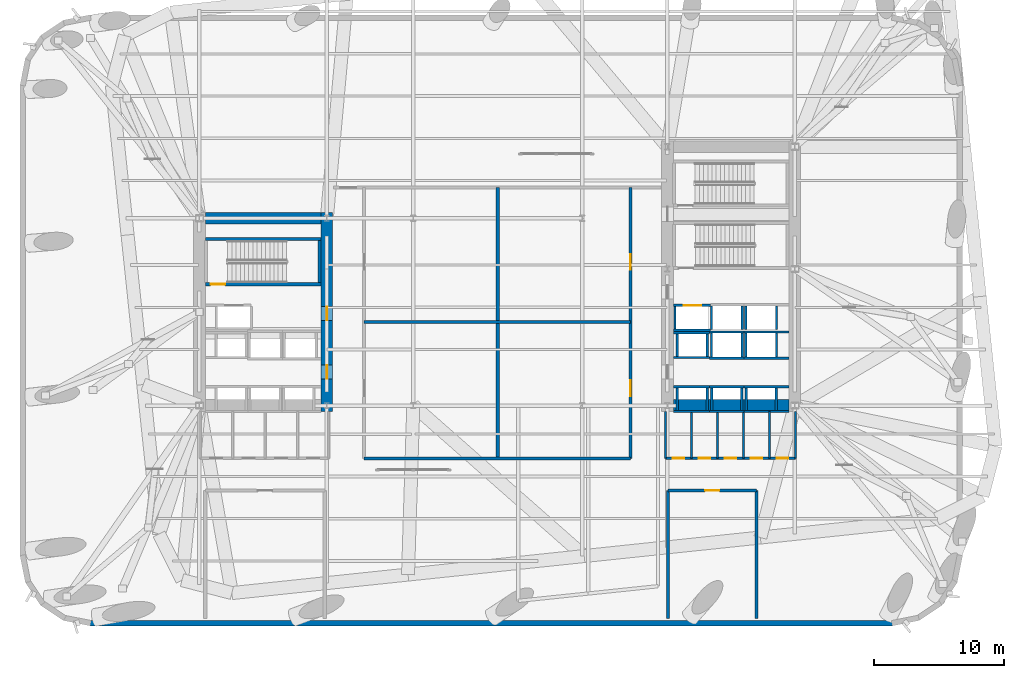
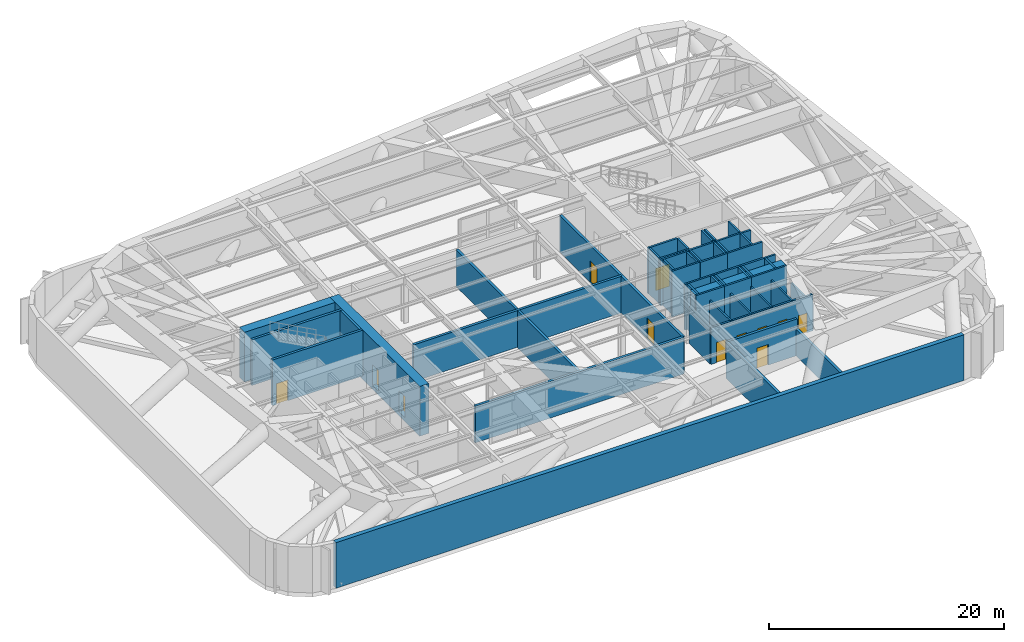
# One storey, part 9 of 16: 52 walls, 12 doors, 12 openings.
"""IFC4 building model written with IfcOpenShell, lengths in metres."""

from ifc_helpers import new_model, si_unit, direction, frame, frame_2d, origin, place, context, subcontext, project, spatial, rectangle, extrude, material, layer, layer_set, type_object, element, fill, save


model = new_model("IFC4")

# Units and contexts
model_context = context("Model", 3, precision=1e-05, world=origin(), true_north=direction((0.0, 1.0)))
body_context = subcontext(model_context, "Body", "Model", "MODEL_VIEW")
ifc_project = project(units=[si_unit("LENGTHUNIT", "METRE"), si_unit("AREAUNIT", "SQUARE_METRE"), si_unit("VOLUMEUNIT", "CUBIC_METRE"), si_unit("PLANEANGLEUNIT", "RADIAN"), si_unit("MASSUNIT", "GRAM", prefix="KILO")], contexts=[model_context])

# Site, building, storey
site_placement = place(None, origin())
site = spatial("IfcSite", under=ifc_project, at=site_placement, CompositionType="ELEMENT")
building_placement = place(site_placement, origin())
building = spatial("IfcBuilding", under=site, at=building_placement, Name="Kolvaren Arena Tower", CompositionType="ELEMENT")
storey_placement = place(building_placement, frame((0.0, 0.0, 94.5)))
storey = spatial("IfcBuildingStorey", under=building, at=storey_placement, Name="L21", CompositionType="ELEMENT", Elevation=94.5)

# Wall, openings, doors
ifc_material_1 = material(Name="Concrete 80 MPa", Category="concrete")
ifc_layer_1 = layer(ifc_material_1, 0.89990234375)
ifc_layer_set_1 = layer_set([ifc_layer_1], Name="Concrete 80 MPa")
wall_type_1 = type_object("IfcWallType", Name="CWALL-900", PredefinedType="SHEAR", material=ifc_layer_set_1)
wall_1_placement = place(storey_placement, frame((24.35009765625, 19.0, -0.419921875), z_axis=(0.0, 0.0, 1.0), x_axis=(0.0, 1.0, 0.0)))
wall_1 = element("IfcWall", 1, at=wall_1_placement, inside=storey, type_object=wall_type_1, Name="Core Shear Wall WC-EAST (L21)", PredefinedType="SHEAR", context=body_context, shape_type="SweptSolid", body=[
    extrude(rectangle(XDim=15.300048828125, YDim=0.89990234375, at=frame_2d((7.64990234375, 0.0))), origin(), (0.0, 0.0, 1.0), 5.169921875),
])
opening_1_placement = place(wall_1_placement, frame((2.5, 0.0, 0.419921875)))
opening_1 = element("IfcOpeningElement", 2, at=opening_1_placement, cuts=wall_1, Name="Opening D04", PredefinedType="OPENING", context=body_context, shape_type="SweptSolid", body=[
    extrude(rectangle(XDim=1.050048828125, YDim=2.14990234375, at=frame_2d((0.52490234375, 1.074951171875))), frame((0.0, 0.4599609375, 0.0), z_axis=(0.0, -1.0, 0.0), x_axis=(1.0, 0.0, 0.0)), (0.0, 0.0, 1.0), 0.919921875),
])
opening_2_placement = place(wall_1_placement, frame((7.0, 0.0, 0.419921875)))
opening_2 = element("IfcOpeningElement", 3, at=opening_2_placement, cuts=wall_1, Name="Opening D04", PredefinedType="OPENING", context=body_context, shape_type="SweptSolid", body=[
    extrude(rectangle(XDim=1.050048828125, YDim=2.14990234375, at=frame_2d((0.52490234375, 1.074951171875))), frame((0.0, 0.4599609375, 0.0), z_axis=(0.0, -1.0, 0.0), x_axis=(1.0, 0.0, 0.0)), (0.0, 0.0, 1.0), 0.919921875),
])
ifc_material_2 = material(Name="Fire-rated steel lobby door", Category="steel")
door_type_1 = type_object("IfcDoorType", Name="DOOR-FF-105", OperationType="NOTDEFINED", PredefinedType="DOOR", material=ifc_material_2)
door_1_placement = place(opening_1_placement, origin())
door_1 = element("IfcDoor", 4, at=door_1_placement, inside=storey, type_object=door_type_1, Name="West Lift Lobby Fire Door (L21)", OperationType="SINGLE_SWING_LEFT", OverallHeight=2.14990234375, OverallWidth=1.050048828125, PredefinedType="DOOR", context=body_context, shape_type="SweptSolid", body=[
    extrude(rectangle(XDim=1.050048828125, YDim=2.14990234375, at=frame_2d((0.52490234375, 1.074951171875))), frame((0.0, 0.02490234375, 0.0), z_axis=(0.0, -1.0, 0.0), x_axis=(1.0, 0.0, 0.0)), (0.0, 0.0, 1.0), 0.050048828125),
])
fill(opening_1, door_1)
door_2_placement = place(opening_2_placement, origin())
door_2 = element("IfcDoor", 5, at=door_2_placement, inside=storey, type_object=door_type_1, Name="West Firefighter Vestibule Door (L21)", OperationType="SINGLE_SWING_RIGHT", OverallHeight=2.14990234375, OverallWidth=1.050048828125, PredefinedType="DOOR", context=body_context, shape_type="SweptSolid", body=[
    extrude(rectangle(XDim=1.050048828125, YDim=2.14990234375, at=frame_2d((0.52490234375, 1.074951171875))), frame((0.0, 0.02490234375, 0.0), z_axis=(0.0, -1.0, 0.0), x_axis=(1.0, 0.0, 0.0)), (0.0, 0.0, 1.0), 0.050048828125),
])
fill(opening_2, door_2)

# Walls
for number, where, z_axis, x_axis, name in (
    (6, (15.0, 33.85009765625, -0.419921875), (0.0, 0.0, 1.0), (1.0, 0.0, 0.0), "Core Shear Wall WC-NORTH (L21)"),
    (7, (51.0, 19.449951171875, -0.419921875), (0.0, 0.0, 1.0), (1.0, 0.0, 0.0), "Core Shear Wall EC-SOUTH (L21)"),
):
    element("IfcWall", number, at=place(storey_placement, frame(where, z_axis=z_axis, x_axis=x_axis)), inside=storey, type_object=wall_type_1, Name=name, PredefinedType="SHEAR", context=body_context, shape_type="SweptSolid", body=[
        extrude(rectangle(XDim=8.89990234375, YDim=0.89990234375, at=frame_2d((4.449951171875, 0.0))), origin(), (0.0, 0.0, 1.0), 5.169921875),
    ])
ifc_material_3 = material(Name="Precast concrete C50/60", Category="concrete")
ifc_layer_2 = layer(ifc_material_3, 0.419921875)
ifc_layer_set_2 = layer_set([ifc_layer_2], Name="Precast concrete C50/60")
wall_type_2 = type_object("IfcWallType", Name="EXT-PIER1", PredefinedType="SOLIDWALL", material=ifc_layer_set_2)
wall_2_placement = place(storey_placement, frame((67.85009765625, 2.7099609375, 0.0), z_axis=(0.0, 0.0, 1.0), x_axis=(-1.0, 0.0, 0.0)))
element("IfcWall", 8, at=wall_2_placement, inside=storey, type_object=wall_type_2, Name="Exterior Precast Masonry-Frame Wall (L21)", PredefinedType="SOLIDWALL", context=body_context, shape_type="SweptSolid", body=[
    extrude(rectangle(XDim=61.7001953125, YDim=0.419921875, at=frame_2d((30.85009765625, 0.0))), origin(), (0.0, 0.0, 1.0), 4.75),
])

# Wall, opening, door
ifc_material_4 = material(Name="Concrete 45 MPa", Category="concrete")
ifc_layer_3 = layer(ifc_material_4, 0.25)
ifc_layer_set_3 = layer_set([ifc_layer_3], Name="Concrete 45 MPa")
wall_type_3 = type_object("IfcWallType", Name="SHAFT-250", PredefinedType="SOLIDWALL", material=ifc_layer_set_3)
wall_3_placement = place(storey_placement, frame((23.89990234375, 28.780029296875, 0.0), z_axis=(0.0, 0.0, 1.0), x_axis=(-1.0, 0.0, 0.0)))
wall_3 = element("IfcWall", 9, at=wall_3_placement, inside=storey, type_object=wall_type_3, Name="Core Shaft Wall (L21)", PredefinedType="SOLIDWALL", context=body_context, shape_type="SweptSolid", body=[
    extrude(rectangle(XDim=8.89990234375, YDim=0.239990234375, at=frame_2d((4.449951171875, 0.0))), origin(), (0.0, 0.0, 1.0), 4.75),
])
opening_3_placement = place(wall_3_placement, frame((7.3798828125, 0.0, 0.0)))
opening_3 = element("IfcOpeningElement", 10, at=opening_3_placement, cuts=wall_3, Name="Opening D03", PredefinedType="OPENING", context=body_context, shape_type="SweptSolid", body=[
    extrude(rectangle(XDim=1.10009765625, YDim=2.14990234375, at=frame_2d((0.550048828125, 1.074951171875))), frame((0.0, 0.1298828125, 0.0), z_axis=(0.0, -1.0, 0.0), x_axis=(1.0, 0.0, 0.0)), (0.0, 0.0, 1.0), 0.260009765625),
])
ifc_material_5 = material(Name="Fire-rated steel exit stair door", Category="steel")
door_type_2 = type_object("IfcDoorType", Name="DOOR-ST-110", OperationType="NOTDEFINED", PredefinedType="DOOR", material=ifc_material_5)
door_3_placement = place(opening_3_placement, origin())
door_3 = element("IfcDoor", 11, at=door_3_placement, inside=storey, type_object=door_type_2, Name="Stair ST-W1 Fire Door (L21)", OperationType="SINGLE_SWING_RIGHT", OverallHeight=2.14990234375, OverallWidth=1.10009765625, PredefinedType="DOOR", context=body_context, shape_type="SweptSolid", body=[
    extrude(rectangle(XDim=1.10009765625, YDim=2.14990234375, at=frame_2d((0.550048828125, 1.074951171875))), frame((0.0, 0.02490234375, 0.0), z_axis=(0.0, -1.0, 0.0), x_axis=(1.0, 0.0, 0.0)), (0.0, 0.0, 1.0), 0.050048828125),
])
fill(opening_3, door_3)

# Walls
wall_4_placement = place(storey_placement, frame((15.0, 32.25, 0.0), z_axis=(0.0, 0.0, 1.0), x_axis=(1.0, 0.0, 0.0)))
element("IfcWall", 12, at=wall_4_placement, inside=storey, type_object=wall_type_3, Name="Core Shaft Wall (L21)", PredefinedType="SOLIDWALL", context=body_context, shape_type="SweptSolid", body=[
    extrude(rectangle(XDim=8.89990234375, YDim=0.239990234375, at=frame_2d((4.449951171875, 0.0))), origin(), (0.0, 0.0, 1.0), 4.75),
])
wall_5_placement = place(storey_placement, frame((23.780029296875, 28.89990234375, 0.0), z_axis=(0.0, 0.0, 1.0), x_axis=(0.0, 1.0, 0.0)))
element("IfcWall", 13, at=wall_5_placement, inside=storey, type_object=wall_type_3, Name="Core Shaft Wall (L21)", PredefinedType="SOLIDWALL", context=body_context, shape_type="SweptSolid", body=[
    extrude(rectangle(XDim=3.22998046875, YDim=0.239990234375, at=frame_2d((1.614990234375, 0.0))), origin(), (0.0, 0.0, 1.0), 4.75),
])
for number, where, z_axis, x_axis, name in (
    (14, (51.0, 20.905029296875, 0.0), (0.0, 0.0, 1.0), (1.0, 0.0, 0.0), "Core Shaft Wall (L21)"),
    (15, (51.0, 18.9951171875, 0.0), (0.0, 0.0, 1.0), (1.0, 0.0, 0.0), "Core Shaft Wall (L21)"),
):
    element("IfcWall", number, at=place(storey_placement, frame(where, z_axis=z_axis, x_axis=x_axis)), inside=storey, type_object=wall_type_3, Name=name, PredefinedType="SOLIDWALL", context=body_context, shape_type="SweptSolid", body=[
        extrude(rectangle(XDim=2.7900390625, YDim=0.179931640625, at=frame_2d((1.39501953125, 0.0))), origin(), (0.0, 0.0, 1.0), 4.75),
    ])
for number, where, z_axis, x_axis, name in (
    (16, (51.304931640625, 19.0849609375, 0.0), (0.0, 0.0, 1.0), (0.0, 1.0, 0.0), "Core Shaft Wall (L21)"),
    (17, (53.614990234375, 19.0849609375, 0.0), (0.0, 0.0, 1.0), (0.0, 1.0, 0.0), "Core Shaft Wall (L21)"),
):
    element("IfcWall", number, at=place(storey_placement, frame(where, z_axis=z_axis, x_axis=x_axis)), inside=storey, type_object=wall_type_3, Name=name, PredefinedType="SOLIDWALL", context=body_context, shape_type="SweptSolid", body=[
        extrude(rectangle(XDim=1.72998046875, YDim=0.179931640625, at=frame_2d((0.864990234375, 0.0))), origin(), (0.0, 0.0, 1.0), 4.75),
    ])
for number, where, z_axis, x_axis, name in (
    (18, (53.7900390625, 20.905029296875, 0.0), (0.0, 0.0, 1.0), (1.0, 0.0, 0.0), "Core Shaft Wall (L21)"),
    (19, (53.7900390625, 18.9951171875, 0.0), (0.0, 0.0, 1.0), (1.0, 0.0, 0.0), "Core Shaft Wall (L21)"),
):
    element("IfcWall", number, at=place(storey_placement, frame(where, z_axis=z_axis, x_axis=x_axis)), inside=storey, type_object=wall_type_3, Name=name, PredefinedType="SOLIDWALL", context=body_context, shape_type="SweptSolid", body=[
        extrude(rectangle(XDim=2.64990234375, YDim=0.179931640625, at=frame_2d((1.324951171875, 0.0))), origin(), (0.0, 0.0, 1.0), 4.75),
    ])
for number, where, z_axis, x_axis, name in (
    (20, (53.965087890625, 19.0849609375, 0.0), (0.0, 0.0, 1.0), (0.0, 1.0, 0.0), "Core Shaft Wall (L21)"),
    (21, (56.27490234375, 19.0849609375, 0.0), (0.0, 0.0, 1.0), (0.0, 1.0, 0.0), "Core Shaft Wall (L21)"),
):
    element("IfcWall", number, at=place(storey_placement, frame(where, z_axis=z_axis, x_axis=x_axis)), inside=storey, type_object=wall_type_3, Name=name, PredefinedType="SOLIDWALL", context=body_context, shape_type="SweptSolid", body=[
        extrude(rectangle(XDim=1.72998046875, YDim=0.179931640625, at=frame_2d((0.864990234375, 0.0))), origin(), (0.0, 0.0, 1.0), 4.75),
    ])
for number, where, z_axis, x_axis, name in (
    (22, (56.43994140625, 20.905029296875, 0.0), (0.0, 0.0, 1.0), (1.0, 0.0, 0.0), "Core Shaft Wall (L21)"),
    (23, (56.43994140625, 18.9951171875, 0.0), (0.0, 0.0, 1.0), (1.0, 0.0, 0.0), "Core Shaft Wall (L21)"),
):
    element("IfcWall", number, at=place(storey_placement, frame(where, z_axis=z_axis, x_axis=x_axis)), inside=storey, type_object=wall_type_3, Name=name, PredefinedType="SOLIDWALL", context=body_context, shape_type="SweptSolid", body=[
        extrude(rectangle(XDim=3.4599609375, YDim=0.179931640625, at=frame_2d((1.72998046875, 0.0))), origin(), (0.0, 0.0, 1.0), 4.75),
    ])
for number, where, z_axis, x_axis, name in (
    (24, (56.60498046875, 19.0849609375, 0.0), (0.0, 0.0, 1.0), (0.0, 1.0, 0.0), "Core Shaft Wall (L21)"),
    (25, (58.9150390625, 19.0849609375, 0.0), (0.0, 0.0, 1.0), (0.0, 1.0, 0.0), "Core Shaft Wall (L21)"),
):
    element("IfcWall", number, at=place(storey_placement, frame(where, z_axis=z_axis, x_axis=x_axis)), inside=storey, type_object=wall_type_3, Name=name, PredefinedType="SOLIDWALL", context=body_context, shape_type="SweptSolid", body=[
        extrude(rectangle(XDim=1.72998046875, YDim=0.179931640625, at=frame_2d((0.864990234375, 0.0))), origin(), (0.0, 0.0, 1.0), 4.75),
    ])
for number, where, z_axis, x_axis, name in (
    (26, (51.0, 25.054931640625, 0.0), (0.0, 0.0, 1.0), (1.0, 0.0, 0.0), "Core Shaft Wall (L21)"),
    (27, (51.0, 23.14501953125, 0.0), (0.0, 0.0, 1.0), (1.0, 0.0, 0.0), "Core Shaft Wall (L21)"),
):
    element("IfcWall", number, at=place(storey_placement, frame(where, z_axis=z_axis, x_axis=x_axis)), inside=storey, type_object=wall_type_3, Name=name, PredefinedType="SOLIDWALL", context=body_context, shape_type="SweptSolid", body=[
        extrude(rectangle(XDim=2.777587890625, YDim=0.179931640625, at=frame_2d((1.388671875, 0.0))), origin(), (0.0, 0.0, 1.0), 4.75),
    ])
for number, where, z_axis, x_axis, name in (
    (28, (51.304931640625, 23.235107421875, 0.0), (0.0, 0.0, 1.0), (0.0, 1.0, 0.0), "Core Shaft Wall (L21)"),
    (29, (53.614990234375, 23.235107421875, 0.0), (0.0, 0.0, 1.0), (0.0, 1.0, 0.0), "Core Shaft Wall (L21)"),
):
    element("IfcWall", number, at=place(storey_placement, frame(where, z_axis=z_axis, x_axis=x_axis)), inside=storey, type_object=wall_type_3, Name=name, PredefinedType="SOLIDWALL", context=body_context, shape_type="SweptSolid", body=[
        extrude(rectangle(XDim=1.72998046875, YDim=0.179931640625, at=frame_2d((0.864990234375, 0.0))), origin(), (0.0, 0.0, 1.0), 4.75),
    ])
for number, where, z_axis, x_axis, name in (
    (30, (53.777587890625, 25.10498046875, 0.0), (0.0, 0.0, 1.0), (1.0, 0.0, 0.0), "Core Shaft Wall (L21)"),
    (31, (53.777587890625, 23.094970703125, 0.0), (0.0, 0.0, 1.0), (1.0, 0.0, 0.0), "Core Shaft Wall (L21)"),
):
    element("IfcWall", number, at=place(storey_placement, frame(where, z_axis=z_axis, x_axis=x_axis)), inside=storey, type_object=wall_type_3, Name=name, PredefinedType="SOLIDWALL", context=body_context, shape_type="SweptSolid", body=[
        extrude(rectangle(XDim=2.662353515625, YDim=0.179931640625, at=frame_2d((1.3310546875, 0.0))), origin(), (0.0, 0.0, 1.0), 4.75),
    ])
for number, where, z_axis, x_axis, name in (
    (32, (53.93994140625, 23.18505859375, 0.0), (0.0, 0.0, 1.0), (0.0, 1.0, 0.0), "Core Shaft Wall (L21)"),
    (33, (56.300048828125, 23.18505859375, 0.0), (0.0, 0.0, 1.0), (0.0, 1.0, 0.0), "Core Shaft Wall (L21)"),
):
    element("IfcWall", number, at=place(storey_placement, frame(where, z_axis=z_axis, x_axis=x_axis)), inside=storey, type_object=wall_type_3, Name=name, PredefinedType="SOLIDWALL", context=body_context, shape_type="SweptSolid", body=[
        extrude(rectangle(XDim=1.829833984375, YDim=0.179931640625, at=frame_2d((0.9150390625, 0.0))), origin(), (0.0, 0.0, 1.0), 4.75),
    ])
for number, where, z_axis, x_axis, name in (
    (34, (56.43994140625, 25.10498046875, 0.0), (0.0, 0.0, 1.0), (1.0, 0.0, 0.0), "Core Shaft Wall (L21)"),
    (35, (56.43994140625, 23.094970703125, 0.0), (0.0, 0.0, 1.0), (1.0, 0.0, 0.0), "Core Shaft Wall (L21)"),
):
    element("IfcWall", number, at=place(storey_placement, frame(where, z_axis=z_axis, x_axis=x_axis)), inside=storey, type_object=wall_type_3, Name=name, PredefinedType="SOLIDWALL", context=body_context, shape_type="SweptSolid", body=[
        extrude(rectangle(XDim=3.4599609375, YDim=0.179931640625, at=frame_2d((1.72998046875, 0.0))), origin(), (0.0, 0.0, 1.0), 4.75),
    ])
for number, where, z_axis, x_axis, name in (
    (36, (56.580078125, 23.18505859375, 0.0), (0.0, 0.0, 1.0), (0.0, 1.0, 0.0), "Core Shaft Wall (L21)"),
    (37, (58.93994140625, 23.18505859375, 0.0), (0.0, 0.0, 1.0), (0.0, 1.0, 0.0), "Core Shaft Wall (L21)"),
):
    element("IfcWall", number, at=place(storey_placement, frame(where, z_axis=z_axis, x_axis=x_axis)), inside=storey, type_object=wall_type_3, Name=name, PredefinedType="SOLIDWALL", context=body_context, shape_type="SweptSolid", body=[
        extrude(rectangle(XDim=1.829833984375, YDim=0.179931640625, at=frame_2d((0.9150390625, 0.0))), origin(), (0.0, 0.0, 1.0), 4.75),
    ])
for number, where, z_axis, x_axis, name in (
    (38, (53.93994140625, 25.284912109375, 0.0), (0.0, 0.0, 1.0), (0.0, 1.0, 0.0), "Core Shaft Wall (L21)"),
    (39, (56.300048828125, 25.284912109375, 0.0), (0.0, 0.0, 1.0), (0.0, 1.0, 0.0), "Core Shaft Wall (L21)"),
    (40, (56.580078125, 25.284912109375, 0.0), (0.0, 0.0, 1.0), (0.0, 1.0, 0.0), "Core Shaft Wall (L21)"),
    (41, (58.93994140625, 25.284912109375, 0.0), (0.0, 0.0, 1.0), (0.0, 1.0, 0.0), "Core Shaft Wall (L21)"),
):
    element("IfcWall", number, at=place(storey_placement, frame(where, z_axis=z_axis, x_axis=x_axis)), inside=storey, type_object=wall_type_3, Name=name, PredefinedType="SOLIDWALL", context=body_context, shape_type="SweptSolid", body=[
        extrude(rectangle(XDim=1.830078125, YDim=0.179931640625, at=frame_2d((0.9150390625, 0.0))), origin(), (0.0, 0.0, 1.0), 4.75),
    ])

# Wall, opening, door
wall_6_placement = place(storey_placement, frame((51.0, 27.155029296875, 0.0), z_axis=(0.0, 0.0, 1.0), x_axis=(1.0, 0.0, 0.0)))
wall_6 = element("IfcWall", 42, at=wall_6_placement, inside=storey, type_object=wall_type_3, Name="Core Shaft Wall (L21)", PredefinedType="SOLIDWALL", context=body_context, shape_type="SweptSolid", body=[
    extrude(rectangle(XDim=2.864990234375, YDim=0.179931640625, at=frame_2d((1.4326171875, 0.0))), origin(), (0.0, 0.0, 1.0), 4.75),
])
opening_4_placement = place(wall_6_placement, frame((0.784912109375, 0.0, 0.0)))
opening_4 = element("IfcOpeningElement", 43, at=opening_4_placement, cuts=wall_6, Name="Opening LD2", PredefinedType="OPENING", context=body_context, shape_type="SweptSolid", body=[
    extrude(rectangle(XDim=1.35009765625, YDim=2.300048828125, at=frame_2d((0.675048828125, 1.14990234375))), frame((0.0, 0.099853515625, 0.0), z_axis=(0.0, -1.0, 0.0), x_axis=(1.0, 0.0, 0.0)), (0.0, 0.0, 1.0), 0.199951171875),
])
ifc_material_6 = material(Name="Stainless steel firefighter lift landing door", Category="steel")
door_type_3 = type_object("IfcDoorType", Name="DOOR-LD-135", OperationType="DOUBLE_DOOR_SLIDING", PredefinedType="DOOR", material=ifc_material_6)
door_4_placement = place(opening_4_placement, origin())
door_4 = element("IfcDoor", 44, at=door_4_placement, inside=storey, type_object=door_type_3, Name="Firefighter Lift FF-E1 Landing Door (L21)", OperationType="DOUBLE_DOOR_SLIDING", OverallHeight=2.300048828125, OverallWidth=1.35009765625, PredefinedType="DOOR", context=body_context, shape_type="SweptSolid", body=[
    extrude(rectangle(XDim=1.35009765625, YDim=2.300048828125, at=frame_2d((0.675048828125, 1.14990234375))), frame((0.0, 0.02490234375, 0.0), z_axis=(0.0, -1.0, 0.0), x_axis=(1.0, 0.0, 0.0)), (0.0, 0.0, 1.0), 0.050048828125),
])
fill(opening_4, door_4)

# Walls
wall_7_placement = place(storey_placement, frame((51.0, 25.2451171875, 0.0), z_axis=(0.0, 0.0, 1.0), x_axis=(1.0, 0.0, 0.0)))
element("IfcWall", 45, at=wall_7_placement, inside=storey, type_object=wall_type_3, Name="Core Shaft Wall (L21)", PredefinedType="SOLIDWALL", context=body_context, shape_type="SweptSolid", body=[
    extrude(rectangle(XDim=2.864990234375, YDim=0.179931640625, at=frame_2d((1.4326171875, 0.0))), origin(), (0.0, 0.0, 1.0), 4.75),
])
wall_8_placement = place(storey_placement, frame((51.1298828125, 25.3349609375, 0.0), z_axis=(0.0, 0.0, 1.0), x_axis=(0.0, 1.0, 0.0)))
element("IfcWall", 46, at=wall_8_placement, inside=storey, type_object=wall_type_3, Name="Core Shaft Wall (L21)", PredefinedType="SOLIDWALL", context=body_context, shape_type="SweptSolid", body=[
    extrude(rectangle(XDim=1.72998046875, YDim=0.179931640625, at=frame_2d((0.864990234375, 0.0))), origin(), (0.0, 0.0, 1.0), 4.75),
])

# Wall, openings, doors
wall_9_placement = place(storey_placement, frame((50.39990234375, 15.39990234375, 0.0), z_axis=(0.0, 0.0, 1.0), x_axis=(1.0, 0.0, 0.0)))
wall_9 = element("IfcWall", 47, at=wall_9_placement, inside=storey, type_object=wall_type_3, Name="Interior Partition Wall (L21)", PredefinedType="SOLIDWALL", context=body_context, shape_type="SweptSolid", body=[
    extrude(rectangle(XDim=10.0, YDim=0.179931640625, at=frame_2d((5.0, 0.0))), origin(), (0.0, 0.0, 1.0), 3.81005859375),
])
opening_5_placement = place(wall_9_placement, frame((0.5400390625, 0.0, 0.0)))
opening_5 = element("IfcOpeningElement", 48, at=opening_5_placement, cuts=wall_9, Name="Opening D07", PredefinedType="OPENING", context=body_context, shape_type="SweptSolid", body=[
    extrude(rectangle(XDim=0.919921875, YDim=2.10009765625, at=frame_2d((0.4599609375, 1.050048828125))), frame((0.0, 0.099853515625, 0.0), z_axis=(0.0, -1.0, 0.0), x_axis=(1.0, 0.0, 0.0)), (0.0, 0.0, 1.0), 0.199951171875),
])
opening_6_placement = place(wall_9_placement, frame((2.5400390625, 0.0, 0.0)))
opening_6 = element("IfcOpeningElement", 49, at=opening_6_placement, cuts=wall_9, Name="Opening D07", PredefinedType="OPENING", context=body_context, shape_type="SweptSolid", body=[
    extrude(rectangle(XDim=0.919921875, YDim=2.10009765625, at=frame_2d((0.4599609375, 1.050048828125))), frame((0.0, 0.099853515625, 0.0), z_axis=(0.0, -1.0, 0.0), x_axis=(1.0, 0.0, 0.0)), (0.0, 0.0, 1.0), 0.199951171875),
])
opening_7_placement = place(wall_9_placement, frame((4.5400390625, 0.0, 0.0)))
opening_7 = element("IfcOpeningElement", 50, at=opening_7_placement, cuts=wall_9, Name="Opening D07", PredefinedType="OPENING", context=body_context, shape_type="SweptSolid", body=[
    extrude(rectangle(XDim=0.919921875, YDim=2.10009765625, at=frame_2d((0.4599609375, 1.050048828125))), frame((0.0, 0.099853515625, 0.0), z_axis=(0.0, -1.0, 0.0), x_axis=(1.0, 0.0, 0.0)), (0.0, 0.0, 1.0), 0.199951171875),
])
opening_8_placement = place(wall_9_placement, frame((6.5400390625, 0.0, 0.0)))
opening_8 = element("IfcOpeningElement", 51, at=opening_8_placement, cuts=wall_9, Name="Opening D07", PredefinedType="OPENING", context=body_context, shape_type="SweptSolid", body=[
    extrude(rectangle(XDim=0.919921875, YDim=2.10009765625, at=frame_2d((0.4599609375, 1.050048828125))), frame((0.0, 0.099853515625, 0.0), z_axis=(0.0, -1.0, 0.0), x_axis=(1.0, 0.0, 0.0)), (0.0, 0.0, 1.0), 0.199951171875),
])
opening_9_placement = place(wall_9_placement, frame((8.570068359375, 0.0, 0.0)))
opening_9 = element("IfcOpeningElement", 52, at=opening_9_placement, cuts=wall_9, Name="Opening D09", PredefinedType="OPENING", context=body_context, shape_type="SweptSolid", body=[
    extrude(rectangle(XDim=0.860107421875, YDim=2.050048828125, at=frame_2d((0.43017578125, 1.02490234375))), frame((0.0, 0.099853515625, 0.0), z_axis=(0.0, -1.0, 0.0), x_axis=(1.0, 0.0, 0.0)), (0.0, 0.0, 1.0), 0.199951171875),
])
ifc_material_7 = material(Name="Fire-rated steel riser access door", Category="steel")
door_type_4 = type_object("IfcDoorType", Name="DOOR-RS-086", OperationType="NOTDEFINED", PredefinedType="DOOR", material=ifc_material_7)
door_5_placement = place(opening_9_placement, origin())
door_5 = element("IfcDoor", 53, at=door_5_placement, inside=storey, type_object=door_type_4, Name="Telecom Riser Closet Door (L21)", OperationType="SINGLE_SWING_LEFT", OverallHeight=2.050048828125, OverallWidth=0.860107421875, PredefinedType="DOOR", context=body_context, shape_type="SweptSolid", body=[
    extrude(rectangle(XDim=0.860107421875, YDim=2.050048828125, at=frame_2d((0.43017578125, 1.02490234375))), frame((0.0, 0.02490234375, 0.0), z_axis=(0.0, -1.0, 0.0), x_axis=(1.0, 0.0, 0.0)), (0.0, 0.0, 1.0), 0.050048828125),
])
fill(opening_9, door_5)
ifc_material_8 = material(Name="Laminate universal washroom door", Category="wood")
door_type_5 = type_object("IfcDoorType", Name="DOOR-WC-092", OperationType="NOTDEFINED", PredefinedType="DOOR", material=ifc_material_8)
door_6_placement = place(opening_5_placement, origin())
door_6 = element("IfcDoor", 54, at=door_6_placement, inside=storey, type_object=door_type_5, Name="First Aid Store Door (L21)", OperationType="SINGLE_SWING_LEFT", OverallHeight=2.10009765625, OverallWidth=0.919921875, PredefinedType="DOOR", context=body_context, shape_type="SweptSolid", body=[
    extrude(rectangle(XDim=0.919921875, YDim=2.10009765625, at=frame_2d((0.4599609375, 1.050048828125))), frame((0.0, 0.02490234375, 0.0), z_axis=(0.0, -1.0, 0.0), x_axis=(1.0, 0.0, 0.0)), (0.0, 0.0, 1.0), 0.050048828125),
])
fill(opening_5, door_6)
door_7_placement = place(opening_6_placement, origin())
door_7 = element("IfcDoor", 55, at=door_7_placement, inside=storey, type_object=door_type_5, Name="Cleaner and Janitor Store Door (L21)", OperationType="SINGLE_SWING_RIGHT", OverallHeight=2.10009765625, OverallWidth=0.919921875, PredefinedType="DOOR", context=body_context, shape_type="SweptSolid", body=[
    extrude(rectangle(XDim=0.919921875, YDim=2.10009765625, at=frame_2d((0.4599609375, 1.050048828125))), frame((0.0, 0.02490234375, 0.0), z_axis=(0.0, -1.0, 0.0), x_axis=(1.0, 0.0, 0.0)), (0.0, 0.0, 1.0), 0.050048828125),
])
fill(opening_6, door_7)
door_8_placement = place(opening_7_placement, origin())
door_8 = element("IfcDoor", 56, at=door_8_placement, inside=storey, type_object=door_type_5, Name="Staff Pantry Door (L21)", OperationType="SINGLE_SWING_LEFT", OverallHeight=2.10009765625, OverallWidth=0.919921875, PredefinedType="DOOR", context=body_context, shape_type="SweptSolid", body=[
    extrude(rectangle(XDim=0.919921875, YDim=2.10009765625, at=frame_2d((0.4599609375, 1.050048828125))), frame((0.0, 0.02490234375, 0.0), z_axis=(0.0, -1.0, 0.0), x_axis=(1.0, 0.0, 0.0)), (0.0, 0.0, 1.0), 0.050048828125),
])
fill(opening_7, door_8)
door_9_placement = place(opening_8_placement, origin())
door_9 = element("IfcDoor", 57, at=door_9_placement, inside=storey, type_object=door_type_5, Name="Gender-Neutral Washroom Door (L21)", OperationType="SINGLE_SWING_RIGHT", OverallHeight=2.10009765625, OverallWidth=0.919921875, PredefinedType="DOOR", context=body_context, shape_type="SweptSolid", body=[
    extrude(rectangle(XDim=0.919921875, YDim=2.10009765625, at=frame_2d((0.4599609375, 1.050048828125))), frame((0.0, 0.02490234375, 0.0), z_axis=(0.0, -1.0, 0.0), x_axis=(1.0, 0.0, 0.0)), (0.0, 0.0, 1.0), 0.050048828125),
])
fill(opening_8, door_9)

# Walls
wall_10_placement = place(storey_placement, frame((37.5, 15.3798828125, 0.0), z_axis=(0.0, 0.0, 1.0), x_axis=(0.0, 1.0, 0.0)))
element("IfcWall", 58, at=wall_10_placement, inside=storey, type_object=wall_type_3, Name="Interior Partition Wall (L21)", PredefinedType="SOLIDWALL", context=body_context, shape_type="SweptSolid", body=[
    extrude(rectangle(XDim=20.840087890625, YDim=0.25, at=frame_2d((10.419921875, 0.0))), origin(), (0.0, 0.0, 1.0), 3.81005859375),
])
for number, where, z_axis, x_axis, name in (
    (59, (27.199951171875, 25.8798828125, 0.0), (0.0, 0.0, 1.0), (1.0, 0.0, 0.0), "Interior Partition Wall (L21)"),
    (60, (27.199951171875, 15.3798828125, 0.0), (0.0, 0.0, 1.0), (1.0, 0.0, 0.0), "Interior Partition Wall (L21)"),
):
    element("IfcWall", number, at=place(storey_placement, frame(where, z_axis=z_axis, x_axis=x_axis)), inside=storey, type_object=wall_type_3, Name=name, PredefinedType="SOLIDWALL", context=body_context, shape_type="SweptSolid", body=[
        extrude(rectangle(XDim=20.5, YDim=0.25, at=frame_2d((10.25, 0.0))), origin(), (0.0, 0.0, 1.0), 3.81005859375),
    ])

# Wall, openings, doors
wall_11_placement = place(storey_placement, frame((47.699951171875, 15.3798828125, 0.0), z_axis=(0.0, 0.0, 1.0), x_axis=(0.0, 1.0, 0.0)))
wall_11 = element("IfcWall", 61, at=wall_11_placement, inside=storey, type_object=wall_type_3, Name="Interior Partition Wall (L21)", PredefinedType="SOLIDWALL", context=body_context, shape_type="SweptSolid", body=[
    extrude(rectangle(XDim=20.840087890625, YDim=0.25, at=frame_2d((10.419921875, 0.0))), origin(), (0.0, 0.0, 1.0), 3.81005859375),
])
opening_10_placement = place(wall_11_placement, frame((4.800048828125, 0.0, 0.0)))
opening_10 = element("IfcOpeningElement", 62, at=opening_10_placement, cuts=wall_11, Name="Opening D08", PredefinedType="OPENING", context=body_context, shape_type="SweptSolid", body=[
    extrude(rectangle(XDim=1.199951171875, YDim=2.199951171875, at=frame_2d((0.60009765625, 1.10009765625))), frame((0.0, 0.135009765625, 0.0), z_axis=(0.0, -1.0, 0.0), x_axis=(1.0, 0.0, 0.0)), (0.0, 0.0, 1.0), 0.27001953125),
])
opening_11_placement = place(wall_11_placement, frame((14.5, 0.0, 0.0)))
opening_11 = element("IfcOpeningElement", 63, at=opening_11_placement, cuts=wall_11, Name="Opening D08", PredefinedType="OPENING", context=body_context, shape_type="SweptSolid", body=[
    extrude(rectangle(XDim=1.199951171875, YDim=2.199951171875, at=frame_2d((0.60009765625, 1.10009765625))), frame((0.0, 0.135009765625, 0.0), z_axis=(0.0, -1.0, 0.0), x_axis=(1.0, 0.0, 0.0)), (0.0, 0.0, 1.0), 0.27001953125),
])
ifc_material_9 = material(Name="Fire-rated steel plant room door", Category="steel")
door_type_6 = type_object("IfcDoorType", Name="DOOR-PL-120", OperationType="NOTDEFINED", PredefinedType="DOOR", material=ifc_material_9)
door_10_placement = place(opening_10_placement, origin())
door_10 = element("IfcDoor", 64, at=door_10_placement, inside=storey, type_object=door_type_6, Name="Chiller Plant Door (L21)", OperationType="SINGLE_SWING_RIGHT", OverallHeight=2.199951171875, OverallWidth=1.199951171875, PredefinedType="DOOR", context=body_context, shape_type="SweptSolid", body=[
    extrude(rectangle(XDim=1.199951171875, YDim=2.199951171875, at=frame_2d((0.60009765625, 1.10009765625))), frame((0.0, 0.02490234375, 0.0), z_axis=(0.0, -1.0, 0.0), x_axis=(1.0, 0.0, 0.0)), (0.0, 0.0, 1.0), 0.050048828125),
])
fill(opening_10, door_10)
door_11_placement = place(opening_11_placement, origin())
door_11 = element("IfcDoor", 65, at=door_11_placement, inside=storey, type_object=door_type_6, Name="Switchgear Room Door (L21)", OperationType="SINGLE_SWING_LEFT", OverallHeight=2.199951171875, OverallWidth=1.199951171875, PredefinedType="DOOR", context=body_context, shape_type="SweptSolid", body=[
    extrude(rectangle(XDim=1.199951171875, YDim=2.199951171875, at=frame_2d((0.60009765625, 1.10009765625))), frame((0.0, 0.02490234375, 0.0), z_axis=(0.0, -1.0, 0.0), x_axis=(1.0, 0.0, 0.0)), (0.0, 0.0, 1.0), 0.050048828125),
])
fill(opening_11, door_11)

# Wall, opening, door
wall_12_placement = place(storey_placement, frame((50.60009765625, 12.919921875, 0.0), z_axis=(0.0, 0.0, 1.0), x_axis=(1.0, 0.0, 0.0)))
wall_12 = element("IfcWall", 66, at=wall_12_placement, inside=storey, type_object=wall_type_3, Name="Interior Partition Wall (L21)", PredefinedType="SOLIDWALL", context=body_context, shape_type="SweptSolid", body=[
    extrude(rectangle(XDim=6.7998046875, YDim=0.25, at=frame_2d((3.39990234375, 0.0))), origin(), (0.0, 0.0, 1.0), 3.81005859375),
])
opening_12_placement = place(wall_12_placement, frame((2.85009765625, 0.0, 0.0)))
opening_12 = element("IfcOpeningElement", 67, at=opening_12_placement, cuts=wall_12, Name="Opening D03", PredefinedType="OPENING", context=body_context, shape_type="SweptSolid", body=[
    extrude(rectangle(XDim=1.10009765625, YDim=2.14990234375, at=frame_2d((0.550048828125, 1.074951171875))), frame((0.0, 0.135009765625, 0.0), z_axis=(0.0, -1.0, 0.0), x_axis=(1.0, 0.0, 0.0)), (0.0, 0.0, 1.0), 0.27001953125),
])
door_12_placement = place(opening_12_placement, origin())
door_12 = element("IfcDoor", 68, at=door_12_placement, inside=storey, type_object=door_type_2, Name="East Area of Refuge Door (L21)", OperationType="SINGLE_SWING_LEFT", OverallHeight=2.14990234375, OverallWidth=1.10009765625, PredefinedType="DOOR", context=body_context, shape_type="SweptSolid", body=[
    extrude(rectangle(XDim=1.10009765625, YDim=2.14990234375, at=frame_2d((0.550048828125, 1.074951171875))), frame((0.0, 0.02490234375, 0.0), z_axis=(0.0, -1.0, 0.0), x_axis=(1.0, 0.0, 0.0)), (0.0, 0.0, 1.0), 0.050048828125),
])
fill(opening_12, door_12)

# Walls
wall_13_placement = place(storey_placement, frame((50.60009765625, 3.06005859375, 0.0), z_axis=(0.0, 0.0, 1.0), x_axis=(0.0, 1.0, 0.0)))
element("IfcWall", 69, at=wall_13_placement, inside=storey, type_object=wall_type_3, Name="Interior Partition Wall (L21)", PredefinedType="SOLIDWALL", context=body_context, shape_type="SweptSolid", body=[
    extrude(rectangle(XDim=9.85986328125, YDim=0.25, at=frame_2d((4.929931640625, 0.0))), origin(), (0.0, 0.0, 1.0), 3.81005859375),
])
wall_14_placement = place(storey_placement, frame((57.39990234375, 3.06005859375, 0.0), z_axis=(0.0, 0.0, 1.0), x_axis=(0.0, 1.0, 0.0)))
element("IfcWall", 70, at=wall_14_placement, inside=storey, type_object=wall_type_3, Name="Interior Partition Wall (L21)", PredefinedType="SOLIDWALL", context=body_context, shape_type="SweptSolid", body=[
    extrude(rectangle(XDim=9.85986328125, YDim=0.25, at=frame_2d((4.929931640625, 0.0))), origin(), (0.0, 0.0, 1.0), 2.800048828125),
])
ifc_material_10 = material(Name="Moisture-resistant gypsum assembly", Category="gypsum")
ifc_layer_4 = layer(ifc_material_10, 0.14990234375)
ifc_layer_set_4 = layer_set([ifc_layer_4], Name="Moisture-resistant gypsum assembly")
wall_type_4 = type_object("IfcWallType", Name="WETW-150", PredefinedType="PARTITIONING", material=ifc_layer_set_4)
for number, where, z_axis, x_axis, name in (
    (71, (52.39990234375, 15.39990234375, 0.0), (0.0, 0.0, 1.0), (0.0, 1.0, 0.0), "Interior Partition Wall (L21)"),
    (72, (54.39990234375, 15.39990234375, 0.0), (0.0, 0.0, 1.0), (0.0, 1.0, 0.0), "Interior Partition Wall (L21)"),
    (73, (56.39990234375, 15.39990234375, 0.0), (0.0, 0.0, 1.0), (0.0, 1.0, 0.0), "Interior Partition Wall (L21)"),
    (74, (58.39990234375, 15.39990234375, 0.0), (0.0, 0.0, 1.0), (0.0, 1.0, 0.0), "Interior Partition Wall (L21)"),
    (75, (50.39990234375, 15.39990234375, 0.0), (0.0, 0.0, 1.0), (0.0, 1.0, 0.0), "Interior Partition Wall (L21)"),
):
    element("IfcWall", number, at=place(storey_placement, frame(where, z_axis=z_axis, x_axis=x_axis)), inside=storey, type_object=wall_type_4, Name=name, PredefinedType="PARTITIONING", context=body_context, shape_type="SweptSolid", body=[
        extrude(rectangle(XDim=3.580078125, YDim=0.14990234375, at=frame_2d((1.7900390625, 0.0))), origin(), (0.0, 0.0, 1.0), 3.81005859375),
    ])
wall_15_placement = place(storey_placement, frame((60.39990234375, 15.39990234375, 0.0), z_axis=(0.0, 0.0, 1.0), x_axis=(0.0, 1.0, 0.0)))
element("IfcWall", 76, at=wall_15_placement, inside=storey, type_object=wall_type_4, Name="Interior Partition Wall (L21)", PredefinedType="PARTITIONING", context=body_context, shape_type="SweptSolid", body=[
    extrude(rectangle(XDim=3.580078125, YDim=0.14990234375, at=frame_2d((1.7900390625, 0.0))), origin(), (0.0, 0.0, 1.0), 2.800048828125),
])

save(model, "model.ifc")
